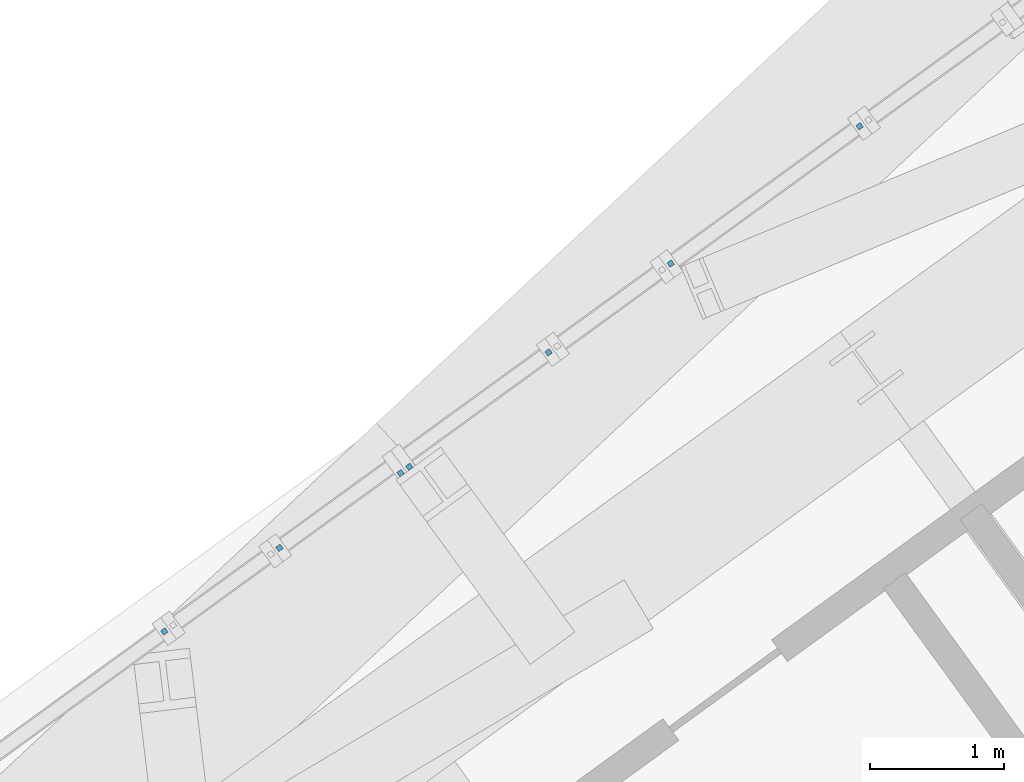
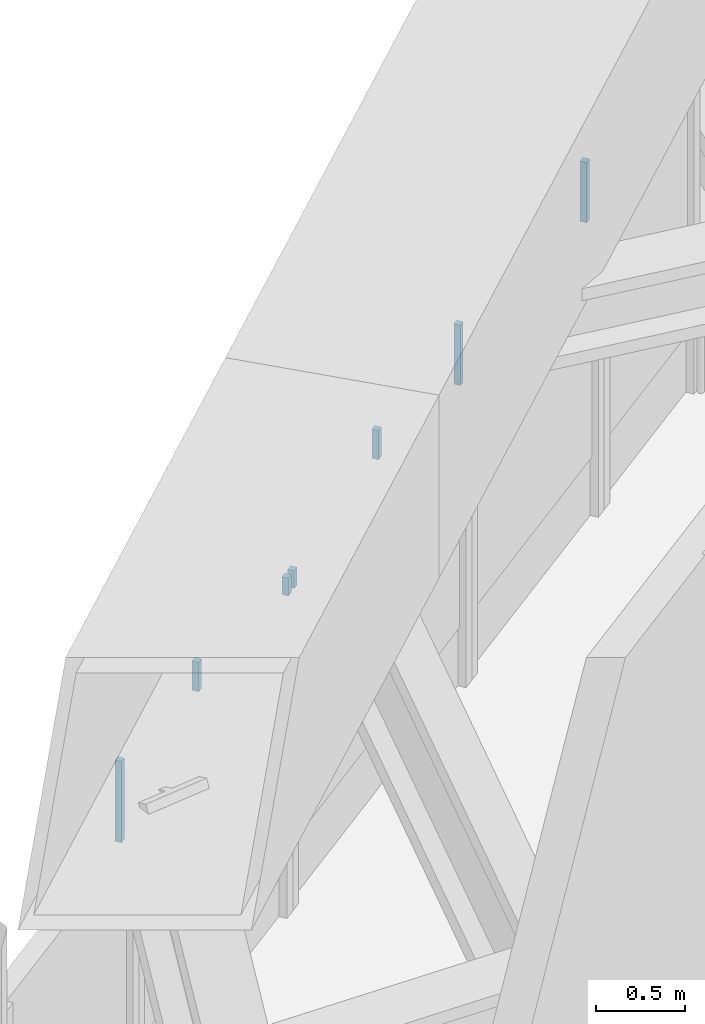
# One storey, part 24 of 30: 7 discrete accessories.
"""IFC4 building model written with IfcOpenShell, lengths in metres."""

from ifc_helpers import new_model, si_unit, direction, frame, origin, origin_2d, place, context, subcontext, project, spatial, rectangle, extrude, source, transform, mapped, material, element, save


model = new_model("IFC4")

# Units and contexts
model_context = context("Model", 3, precision=1e-05, world=origin(), true_north=direction((0.0, 1.0)))
body_context = subcontext(model_context, "Body", "Model", "MODEL_VIEW")
ifc_project = project(units=[si_unit("LENGTHUNIT", "METRE"), si_unit("AREAUNIT", "SQUARE_METRE"), si_unit("VOLUMEUNIT", "CUBIC_METRE"), si_unit("PLANEANGLEUNIT", "RADIAN"), si_unit("MASSUNIT", "GRAM", prefix="KILO")], contexts=[model_context])

# Site, building, storey
site_placement = place(None, origin())
site = spatial("IfcSite", under=ifc_project, at=site_placement, CompositionType="ELEMENT")
building_placement = place(site_placement, origin())
building = spatial("IfcBuilding", under=site, at=building_placement, Name="Triune Harvest Tower", CompositionType="ELEMENT")
storey_placement = place(building_placement, frame((0.0, 0.0, 94.5)))
storey = spatial("IfcBuildingStorey", under=building, at=storey_placement, Name="L23", CompositionType="ELEMENT", Elevation=94.5)

# Discrete accessories
ifc_material = material(Name="Steel ASTM A992 Gr 50", Category="steel")
shared_shape_1 = source(origin(), body_context, "Body", "SweptSolid", [
    extrude(rectangle(XDim=0.0400390625, YDim=0.0400390625, at=origin_2d()), origin(), (0.0, 0.0, 1.0), 0.41259765625),
])
for number, where, z_axis, x_axis, name in (
    (1, (1.49755859375, 29.14404296875, 1.977294921875), (0.0, 0.0, 1.0), (-0.809023149603, -0.587776780254, 0.0), "Mullion end bracket B2-F3 L23.601 upper"),
    (2, (0.089599609375, 28.12109375, 1.977294921875), (0.0, 0.0, 1.0), (-0.809023149603, -0.587776780254, 0.0), "Mullion end bracket B2-F3 L23.601 upper"),
):
    element("IfcDiscreteAccessory", number, at=place(storey_placement, frame(where, z_axis=z_axis, x_axis=x_axis)), inside=storey, material=ifc_material, Name=name, ObjectType="BRACKET", PredefinedType="USERDEFINED", context=body_context, shape_type="MappedRepresentation", body=[
        mapped(shared_shape_1, transform((0.0, 0.0, 0.0), scale=1.0)),
    ])
shared_shape_2 = source(origin(), body_context, "Body", "SweptSolid", [
    extrude(rectangle(XDim=0.0400390625, YDim=0.0400390625, at=origin_2d()), origin(), (0.0, 0.0, 1.0), 0.19970703125),
])
for number, where, z_axis, x_axis, name in (
    (3, (-0.8212890625, 27.45947265625, 2.1904296875), (0.0, 0.0, 1.0), (-0.808991346635, -0.587820551759, 0.0), "Mullion end bracket B2-F3 L23.801 upper"),
    (4, (-2.82568359375, 26.0029296875, 2.190185546875), (0.0, 0.0, 1.0), (-0.80903238228, -0.587764072076, 0.0), "Mullion end bracket B2-F3 L23.901 upper"),
):
    element("IfcDiscreteAccessory", number, at=place(storey_placement, frame(where, z_axis=z_axis, x_axis=x_axis)), inside=storey, material=ifc_material, Name=name, ObjectType="BRACKET", PredefinedType="USERDEFINED", context=body_context, shape_type="MappedRepresentation", body=[
        mapped(shared_shape_2, transform((0.0, 0.0, 0.0), scale=1.0)),
    ])
shared_shape_3 = source(origin(), body_context, "Body", "SweptSolid", [
    extrude(rectangle(XDim=0.0400390625, YDim=0.0400390625, at=origin_2d()), origin(), (0.0, 0.0, 1.0), 0.120849609375),
])
for number, where, z_axis, x_axis, name in (
    (5, (-1.8583984375, 26.60693359375, 2.1904296875), (0.0, 0.0, 1.0), (-0.808991346635, -0.587820551759, 0.0), "Mullion end bracket B2-F3 L23.801 upper"),
    (6, (-1.923095703125, 26.559814453125, 2.1904296875), (0.0, 0.0, 1.0), (-0.80903238228, -0.587764072076, 0.0), "Mullion end bracket B2-F3 L23.901 upper"),
):
    element("IfcDiscreteAccessory", number, at=place(storey_placement, frame(where, z_axis=z_axis, x_axis=x_axis)), inside=storey, material=ifc_material, Name=name, ObjectType="BRACKET", PredefinedType="USERDEFINED", context=body_context, shape_type="MappedRepresentation", body=[
        mapped(shared_shape_3, transform((0.0, 0.0, 0.0), scale=1.0)),
    ])
discrete_accessory_placement = place(storey_placement, frame((-3.683837890625, 25.379638671875, 1.83642578125), z_axis=(0.0, 0.0, 1.0), x_axis=(-0.809031356437, -0.587765484103, 0.0)))
element("IfcDiscreteAccessory", 7, at=discrete_accessory_placement, inside=storey, material=ifc_material, Name="Mullion end bracket B2-F3 L23.1101 upper", ObjectType="BRACKET", PredefinedType="USERDEFINED", context=body_context, shape_type="SweptSolid", body=[
    extrude(rectangle(XDim=0.0400390625, YDim=0.0400390625, at=origin_2d()), origin(), (0.0, 0.0, 1.0), 0.553466796875),
])

save(model, "model.ifc")
